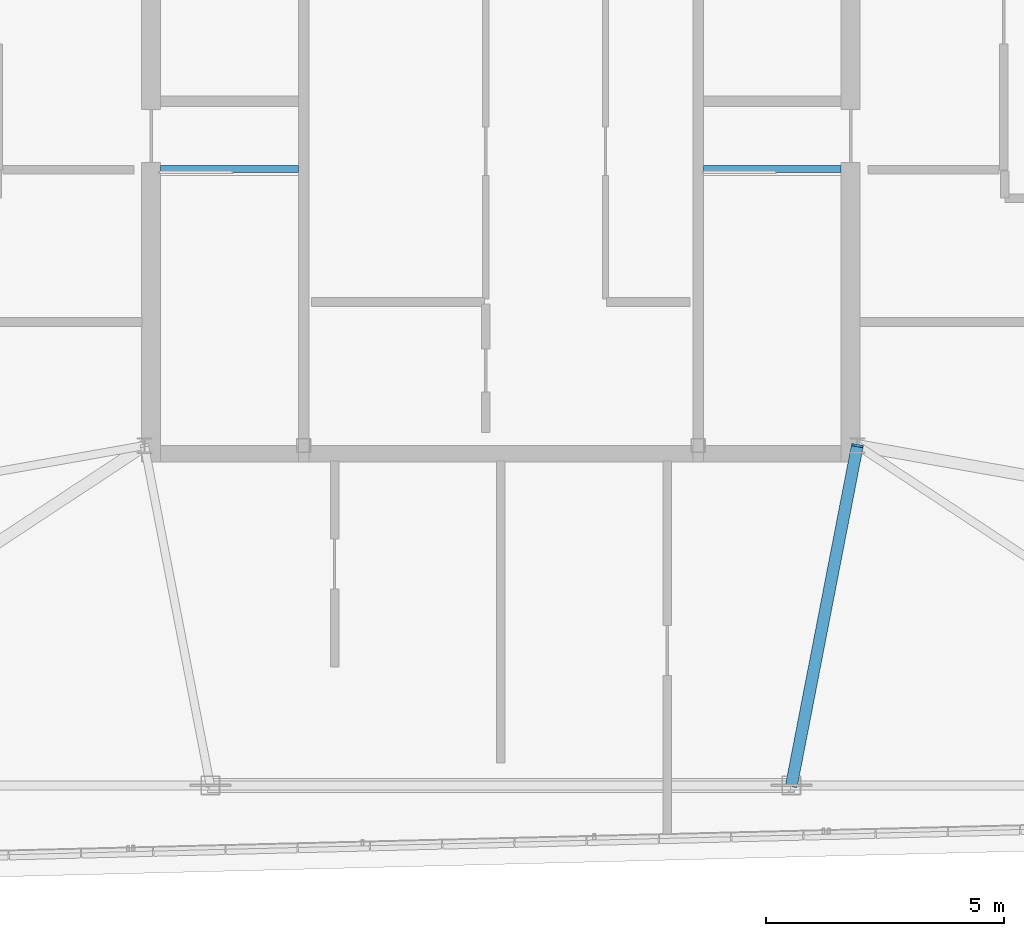
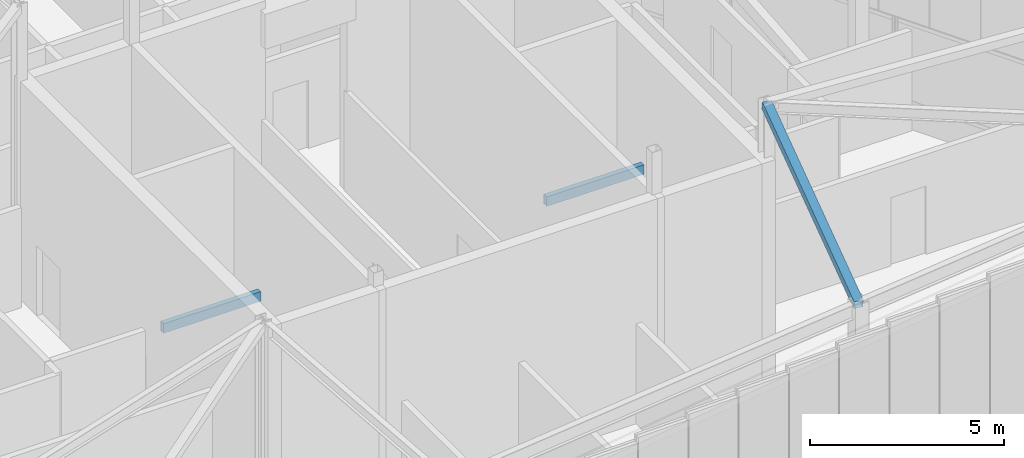
# One storey, part 13 of 50: 3 beams.
"""IFC4 building model written with IfcOpenShell, lengths in metres."""

from ifc_helpers import new_model, si_unit, direction, frame, origin, origin_2d, place, context, subcontext, project, spatial, hollow_rectangle, extrude, source, transform, mapped, material, material_profile, profile_set, type_object, type_shapes, element, save


model = new_model("IFC4")

# Units and contexts
model_context = context("Model", 3, precision=1e-05, world=origin(), true_north=direction((0.0, 1.0)))
body_context = subcontext(model_context, "Body", "Model", "MODEL_VIEW")
ifc_project = project(units=[si_unit("LENGTHUNIT", "METRE"), si_unit("AREAUNIT", "SQUARE_METRE"), si_unit("VOLUMEUNIT", "CUBIC_METRE"), si_unit("PLANEANGLEUNIT", "RADIAN"), si_unit("MASSUNIT", "GRAM", prefix="KILO")], contexts=[model_context])

# Site, building, storey
site_placement = place(None, origin())
site = spatial("IfcSite", under=ifc_project, at=site_placement, CompositionType="ELEMENT")
building_placement = place(site_placement, origin())
building = spatial("IfcBuilding", under=site, at=building_placement, Name="Caelisora Broadcast Tower", CompositionType="ELEMENT")
storey_placement = place(building_placement, frame((0.0, 0.0, 303.39990234375)))
storey = spatial("IfcBuildingStorey", under=building, at=storey_placement, Name="L80", CompositionType="ELEMENT", Elevation=303.39990234375)

# Beams
ifc_material = material(Name="Steel Grade 350 (AS/NZS 1163 C350L0)", Category="steel")
ifc_material_profile_1 = material_profile(ifc_material, hollow_rectangle(XDim=0.14990234375, YDim=0.300048828125, WallThickness=0.010009765625, at=origin_2d()), Name="Steel Grade 350 (AS/NZS 1163 C350L0)")
ifc_profile_set_1 = profile_set([ifc_material_profile_1], Name="Steel Grade 350 (AS/NZS 1163 C350L0)")
beam_type_1 = type_object("IfcBeamType", Name="SB05", PredefinedType="JOIST", material=ifc_profile_set_1)
shared_shape_1 = source(origin(), body_context, "Body", "SweptSolid", [
    extrude(hollow_rectangle(XDim=0.14990234375, YDim=0.300048828125, WallThickness=0.010009765625, at=origin_2d()), origin(), (0.0, 0.0, 1.0), 2.89990234375),
])
type_shapes(beam_type_1, [shared_shape_1])
for number, where, z_axis, x_axis, name in (
    (1, (30.840087890625, 23.219970703125, 3.0), (1.0, 0.0, 0.0), (0.0, 1.0, 0.0), "L80 beam SB05"),
    (2, (42.260009765625, 23.219970703125, 3.0), (1.0, 0.0, 0.0), (0.0, 1.0, 0.0), "L80 beam SB05"),
):
    element("IfcBeam", number, at=place(storey_placement, frame(where, z_axis=z_axis, x_axis=x_axis)), inside=storey, type_object=beam_type_1, Name=name, PredefinedType="JOIST", context=body_context, shape_type="MappedRepresentation", body=[
        mapped(shared_shape_1, transform((0.0, 0.0, 0.0), scale=1.0)),
    ])
ifc_material_profile_2 = material_profile(ifc_material, hollow_rectangle(XDim=0.25, YDim=0.25, WallThickness=0.010009765625, at=origin_2d()), Name="Steel Grade 350 (AS/NZS 1163 C350L0)")
ifc_profile_set_2 = profile_set([ifc_material_profile_2], Name="Steel Grade 350 (AS/NZS 1163 C350L0)")
beam_type_2 = type_object("IfcBeamType", Name="RB03", PredefinedType="USERDEFINED", material=ifc_profile_set_2)
shared_shape_2 = source(origin(), body_context, "Body", "SweptSolid", [
    extrude(hollow_rectangle(XDim=0.25, YDim=0.25, WallThickness=0.010009765625, at=origin_2d()), origin(), (0.0, 0.0, 1.0), 7.43212890625),
])
type_shapes(beam_type_2, [shared_shape_2])
beam_placement = place(storey_placement, frame((45.5, 17.39990234375, 8.41943359375), z_axis=(-0.186651291892, -0.962032688201, -0.199134130843), x_axis=(0.981693812892, -0.190465896498, 0.0)))
element("IfcBeam", 3, at=beam_placement, inside=storey, type_object=beam_type_2, Name="L80 beam RB03", ObjectType="RAFTER", PredefinedType="USERDEFINED", context=body_context, shape_type="MappedRepresentation", body=[
    mapped(shared_shape_2, transform((0.0, 0.0, 0.0), scale=1.0)),
])

save(model, "model.ifc")
